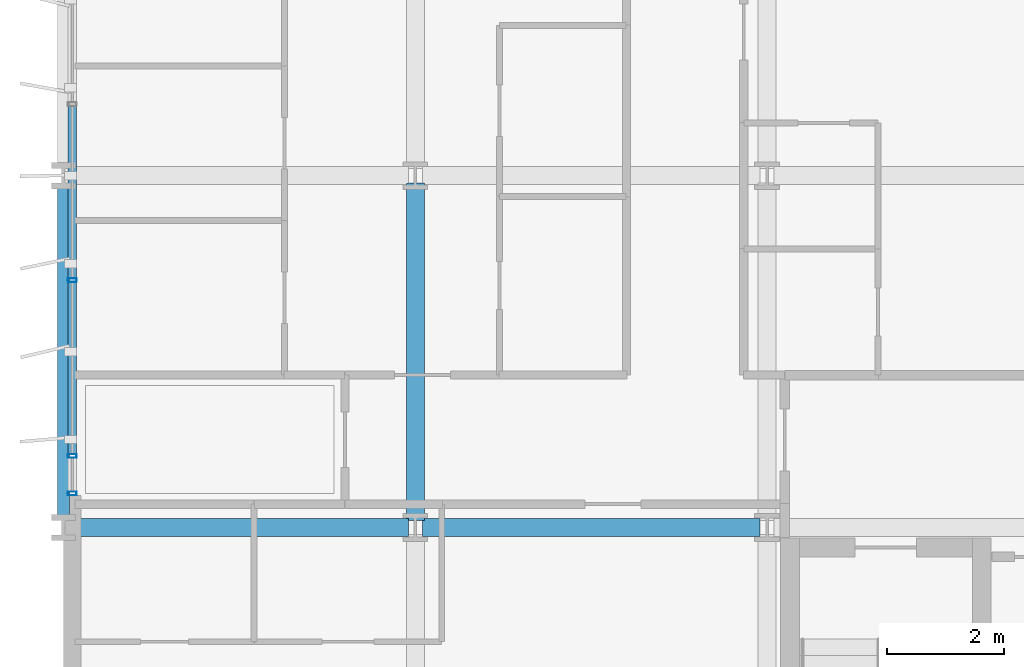
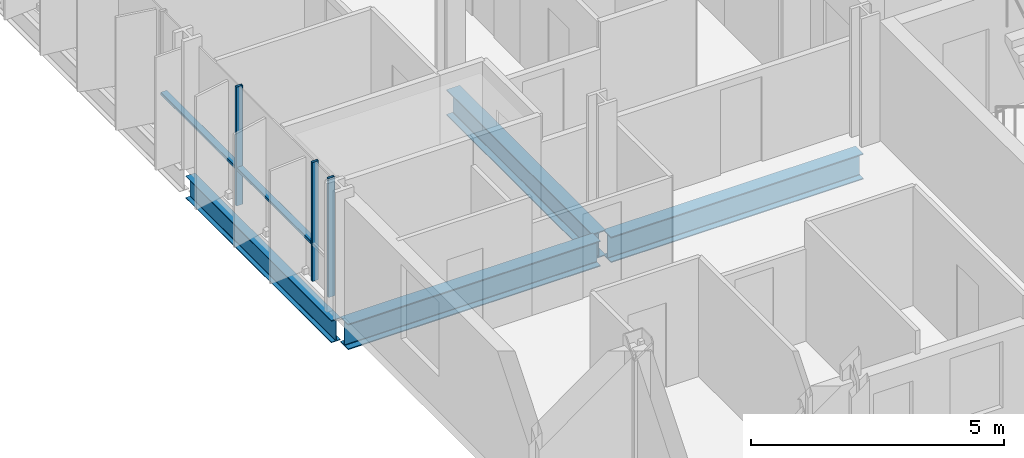
# One storey, part 2 of 39: 5 members, 4 beams, 1 element without a shape of its own.
"""IFC4 building model written with IfcOpenShell, lengths in metres."""

from ifc_helpers import new_model, si_unit, direction, frame, origin, origin_2d, place, context, subcontext, project, spatial, hollow_rectangle, i_section, extrude, material, layer, layer_set, material_profile, profile_set, type_object, element, aggregate, save


model = new_model("IFC4")

# Units and contexts
model_context = context("Model", 3, precision=1e-05, world=origin(), true_north=direction((0.0, 1.0)))
body_context = subcontext(model_context, "Body", "Model", "MODEL_VIEW")
ifc_project = project(units=[si_unit("LENGTHUNIT", "METRE"), si_unit("AREAUNIT", "SQUARE_METRE"), si_unit("VOLUMEUNIT", "CUBIC_METRE"), si_unit("PLANEANGLEUNIT", "RADIAN"), si_unit("MASSUNIT", "GRAM", prefix="KILO")], contexts=[model_context])

# Site, building, storey
site_placement = place(None, origin())
site = spatial("IfcSite", under=ifc_project, at=site_placement, CompositionType="ELEMENT")
building_placement = place(site_placement, origin())
building = spatial("IfcBuilding", under=site, at=building_placement, Name="Brevholm Reach", CompositionType="ELEMENT")
storey_placement = place(building_placement, frame((0.0, 0.0, 40.39990234375)))
storey = spatial("IfcBuildingStorey", under=building, at=storey_placement, Name="L10", CompositionType="ELEMENT", Elevation=40.39990234375)

# Beams
ifc_material_1 = material(Name="Structural Steel S355J2", Category="steel")
ifc_material_profile_1 = material_profile(ifc_material_1, i_section(OverallWidth=0.210693359375, OverallDepth=0.53955078125, WebThickness=0.01171875, FlangeThickness=0.018798828125, FilletRadius=0.0126953125, at=origin_2d()), Name="UKB 533x210x109")
ifc_profile_set_1 = profile_set([ifc_material_profile_1], Name="Structural Steel S355J2")
beam_type_1 = type_object("IfcBeamType", Name="BM-SP539", PredefinedType="SPANDREL", material=ifc_profile_set_1)
beam_placement = place(storey_placement, frame((0.0, 10.1201171875, -0.499755859375), z_axis=(0.0, 1.0, 0.0), x_axis=(-1.0, 0.0, 0.0)))
element("IfcBeam", 1, at=beam_placement, inside=storey, type_object=beam_type_1, Name="L10 SP-01B Framing Beam", PredefinedType="SPANDREL", context=body_context, shape_type="SweptSolid", body=[
    extrude(i_section(OverallWidth=0.210693359375, OverallDepth=0.53955078125, WebThickness=0.01171875, FlangeThickness=0.018798828125, FilletRadius=0.0126953125, at=origin_2d()), origin(), (0.0, 0.0, 1.0), 5.759765625),
])
ifc_material_2 = material(Name="Structural Steel S355J2", Category="steel")
ifc_material_profile_2 = material_profile(ifc_material_2, i_section(OverallWidth=0.30712890625, OverallDepth=0.6201171875, WebThickness=0.01416015625, FlangeThickness=0.023681640625, FilletRadius=0.0166015625, at=origin_2d()), Name="UKB 610x305x179")
ifc_profile_set_2 = profile_set([ifc_material_profile_2], Name="Structural Steel S355J2")
beam_type_2 = type_object("IfcBeamType", Name="BM-UKB610H", PredefinedType="USERDEFINED", material=ifc_profile_set_2)
for number, where, z_axis, x_axis, name in (
    (2, (0.1201171875, 10.0, -0.5400390625), (1.0, 0.0, 0.0), (0.0, 1.0, 0.0), "L10 G-06 Framing Beam"),
    (3, (6.1201171875, 10.0, -0.5400390625), (1.0, 0.0, 0.0), (0.0, 1.0, 0.0), "L10 G-06 Framing Beam"),
    (4, (6.0, 10.1201171875, -0.5400390625), (0.0, 1.0, 0.0), (-1.0, 0.0, 0.0), "L10 G-06 Framing Beam"),
):
    element("IfcBeam", number, at=place(storey_placement, frame(where, z_axis=z_axis, x_axis=x_axis)), inside=storey, type_object=beam_type_2, Name=name, ObjectType="GIRDER", PredefinedType="USERDEFINED", context=body_context, shape_type="SweptSolid", body=[
        extrude(i_section(OverallWidth=0.30712890625, OverallDepth=0.6201171875, WebThickness=0.01416015625, FlangeThickness=0.023681640625, FilletRadius=0.0166015625, at=origin_2d()), origin(), (0.0, 0.0, 1.0), 5.759765625),
    ])

# Curtain wall, members
ifc_material_3 = material(Name="Dark Anodised Aluminium 6063-T6 and Solar-Control Glass", Category="aluminium")
ifc_layer = layer(ifc_material_3, 0.14990234375)
ifc_layer_set = layer_set([ifc_layer], Name="Dark Anodised Aluminium 6063-T6 and Solar-Control Glass")
curtain_wall_type = type_object("IfcCurtainWallType", Name="CW-01", PredefinedType="NOTDEFINED", material=ifc_layer_set)
curtain_wall_placement = place(storey_placement, origin())
curtain_wall = element("IfcCurtainWall", 5, at=curtain_wall_placement, inside=storey, type_object=curtain_wall_type, Name="L10 Curtain Wall CW-01", PredefinedType="NOTDEFINED")
ifc_material_4 = material(Name="Dark Anodised Aluminium 6063-T6", Category="aluminium")
ifc_material_profile_3 = material_profile(ifc_material_4, hollow_rectangle(XDim=0.06494140625, YDim=0.14990234375, WallThickness=0.0048828125, InnerFilletRadius=0.0048828125, OuterFilletRadius=0.010009765625, at=origin_2d()), Name="RHS 150x65x5")
ifc_profile_set_3 = profile_set([ifc_material_profile_3], Name="Dark Anodised Aluminium 6063-T6")
member_type_1 = type_object("IfcMemberType", Name="CWM-150", PredefinedType="MULLION", material=ifc_profile_set_3)
member_1_placement = place(storey_placement, frame((0.14990234375, 14.219970703125, 0.0), z_axis=(0.0, 0.0, 1.0), x_axis=(0.0, -1.0, 0.0)))
member_1 = element("IfcMember", 6, at=member_1_placement, type_object=member_type_1, Name="CM-150 Mullion 4", PredefinedType="MULLION", context=body_context, shape_type="SweptSolid", body=[
    extrude(hollow_rectangle(XDim=0.06494140625, YDim=0.14990234375, WallThickness=0.0048828125, InnerFilletRadius=0.0048828125, OuterFilletRadius=0.010009765625, at=origin_2d()), origin(), (0.0, 0.0, 1.0), 2.8701171875),
])
member_2_placement = place(storey_placement, frame((0.14990234375, 11.219970703125, 0.0), z_axis=(0.0, 0.0, 1.0), x_axis=(0.0, -1.0, 0.0)))
member_2 = element("IfcMember", 7, at=member_2_placement, type_object=member_type_1, Name="CM-150 Mullion 5", PredefinedType="MULLION", context=body_context, shape_type="SweptSolid", body=[
    extrude(hollow_rectangle(XDim=0.06494140625, YDim=0.14990234375, WallThickness=0.0048828125, InnerFilletRadius=0.0048828125, OuterFilletRadius=0.010009765625, at=origin_2d()), origin(), (0.0, 0.0, 1.0), 2.8701171875),
])
member_3_placement = place(storey_placement, frame((0.14990234375, 10.58251953125, 0.0), z_axis=(0.0, 0.0, 1.0), x_axis=(0.0, -1.0, 0.0)))
member_3 = element("IfcMember", 8, at=member_3_placement, type_object=member_type_1, Name="CM-150 Mullion 6", PredefinedType="MULLION", context=body_context, shape_type="SweptSolid", body=[
    extrude(hollow_rectangle(XDim=0.06494140625, YDim=0.14990234375, WallThickness=0.0048828125, InnerFilletRadius=0.0048828125, OuterFilletRadius=0.010009765625, at=origin_2d()), origin(), (0.0, 0.0, 1.0), 2.8701171875),
])
ifc_material_5 = material(Name="Dark Anodised Aluminium 6063-T6", Category="aluminium")
ifc_material_profile_4 = material_profile(ifc_material_5, hollow_rectangle(XDim=0.06494140625, YDim=0.14990234375, WallThickness=0.0048828125, InnerFilletRadius=0.0048828125, OuterFilletRadius=0.010009765625, at=origin_2d()), Name="RHS 150x65x5")
ifc_profile_set_4 = profile_set([ifc_material_profile_4], Name="Dark Anodised Aluminium 6063-T6")
member_type_2 = type_object("IfcMemberType", Name="CWT-150", PredefinedType="NOTDEFINED", material=ifc_profile_set_4)
member_4_placement = place(storey_placement, frame((0.14990234375, 17.1875, 0.900146484375), z_axis=(0.0, -1.0, 0.0), x_axis=(0.0, 0.0, 1.0)))
member_4 = element("IfcMember", 9, at=member_4_placement, type_object=member_type_2, Name="CT-150 Transom 3.1", ObjectType="TRANSOM", PredefinedType="USERDEFINED", context=body_context, shape_type="SweptSolid", body=[
    extrude(hollow_rectangle(XDim=0.06494140625, YDim=0.14990234375, WallThickness=0.0048828125, InnerFilletRadius=0.0048828125, OuterFilletRadius=0.010009765625, at=origin_2d()), origin(), (0.0, 0.0, 1.0), 2.93505859375),
])
member_5_placement = place(storey_placement, frame((0.14990234375, 14.1875, 0.900146484375), z_axis=(0.0, -1.0, 0.0), x_axis=(0.0, 0.0, 1.0)))
member_5 = element("IfcMember", 10, at=member_5_placement, type_object=member_type_2, Name="CT-150 Transom 4.1", ObjectType="TRANSOM", PredefinedType="USERDEFINED", context=body_context, shape_type="SweptSolid", body=[
    extrude(hollow_rectangle(XDim=0.06494140625, YDim=0.14990234375, WallThickness=0.0048828125, InnerFilletRadius=0.0048828125, OuterFilletRadius=0.010009765625, at=origin_2d()), origin(), (0.0, 0.0, 1.0), 2.93505859375),
])
aggregate(curtain_wall, [member_1, member_2, member_3, member_4, member_5])

save(model, "model.ifc")
